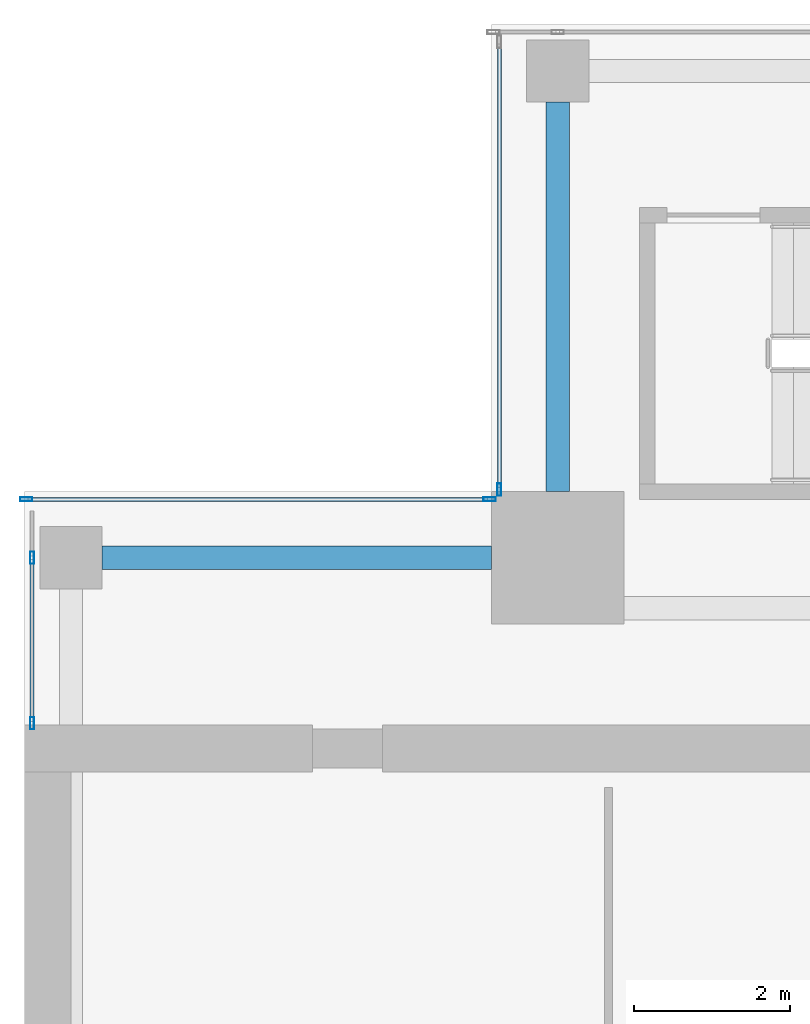
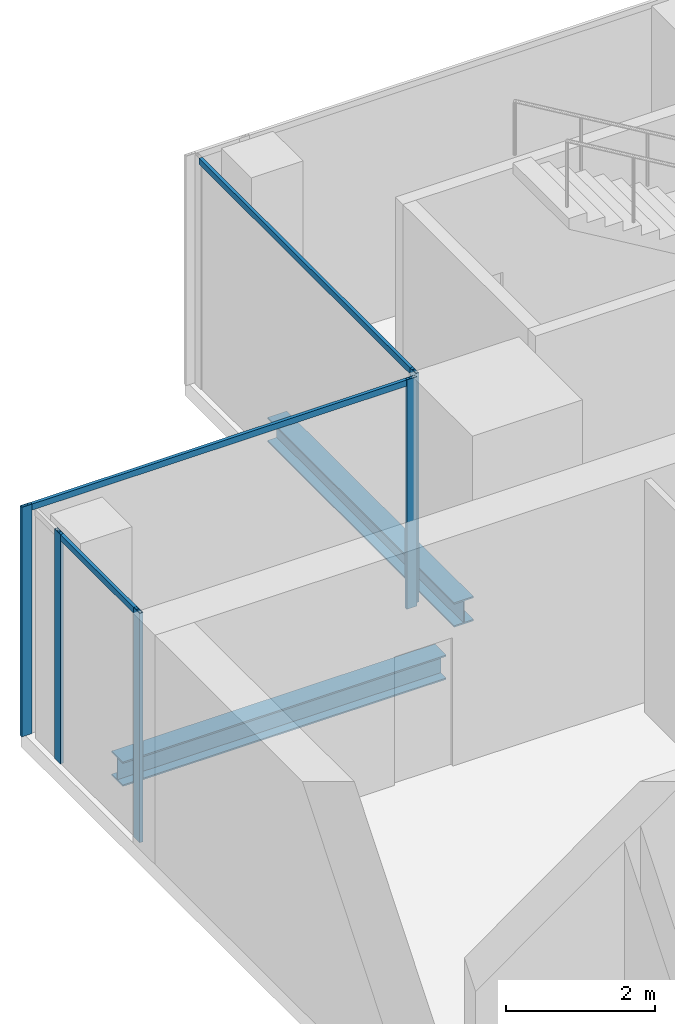
# One storey, part 14 of 29: 8 members, 2 beams, 3 elements without a shape of their own.
"""IFC4 building model written with IfcOpenShell, lengths in metres."""

from ifc_helpers import new_model, si_unit, direction, frame, origin, origin_2d, place, context, subcontext, project, spatial, hollow_rectangle, i_section, extrude, source, transform, mapped, material, material_profile, profile_set, type_object, element, aggregate, save


model = new_model("IFC4")

# Units and contexts
model_context = context("Model", 3, precision=1e-05, world=origin(), true_north=direction((0.0, 1.0)))
body_context = subcontext(model_context, "Body", "Model", "MODEL_VIEW")
ifc_project = project(units=[si_unit("LENGTHUNIT", "METRE"), si_unit("AREAUNIT", "SQUARE_METRE"), si_unit("VOLUMEUNIT", "CUBIC_METRE"), si_unit("PLANEANGLEUNIT", "RADIAN"), si_unit("MASSUNIT", "GRAM", prefix="KILO")], contexts=[model_context])

# Site, building, storey
site_placement = place(None, origin())
site = spatial("IfcSite", under=ifc_project, at=site_placement, CompositionType="ELEMENT")
building_placement = place(site_placement, origin())
building = spatial("IfcBuilding", under=site, at=building_placement, Name="Khomas Fold Tower", CompositionType="ELEMENT")
storey_placement = place(building_placement, frame((0.0, 0.0, 314.199951171875)))
storey = spatial("IfcBuildingStorey", under=building, at=storey_placement, Name="L71", CompositionType="ELEMENT", Elevation=314.199951171875)

# Beams
ifc_material_1 = material(Name="Steel S355", Category="steel")
ifc_material_profile_1 = material_profile(ifc_material_1, i_section(OverallWidth=0.300048828125, OverallDepth=0.39990234375, WebThickness=0.013427734375, FlangeThickness=0.02392578125, at=origin_2d()), Name="HE 400 B")
ifc_profile_set_1 = profile_set([ifc_material_profile_1], Name="Steel S355")
beam_type = type_object("IfcBeamType", Name="HE 400 B spandrel SB5", PredefinedType="SPANDREL", material=ifc_profile_set_1)
shared_shape_1 = source(origin(), body_context, "Body", "SweptSolid", [
    extrude(i_section(OverallWidth=0.300048828125, OverallDepth=0.39990234375, WebThickness=0.013427734375, FlangeThickness=0.02392578125, at=origin_2d()), origin(), (0.0, 0.0, 1.0), 5.0),
])
for number, where, z_axis, x_axis, name in (
    (1, (12.85009765625, 42.0, -0.449951171875), (0.0, 1.0, 0.0), (-1.0, 0.0, 0.0), "SB5"),
    (2, (7.0, 41.14990234375, -0.449951171875), (1.0, 0.0, 0.0), (0.0, 1.0, 0.0), "SB5"),
):
    element("IfcBeam", number, at=place(storey_placement, frame(where, z_axis=z_axis, x_axis=x_axis)), inside=storey, type_object=beam_type, Name=name, PredefinedType="SPANDREL", context=body_context, shape_type="MappedRepresentation", body=[
        mapped(shared_shape_1, transform((0.0, 0.0, 0.0))),
    ])

# Curtain wall, member
ifc_material_2 = material(Name="Aluminium framed double glazing", Category="aluminium")
curtain_wall_type = type_object("IfcCurtainWallType", Name="SK-Unitised clear-glass wall, upper floors CW3", PredefinedType="NOTDEFINED", material=ifc_material_2)
curtain_wall_1_placement = place(storey_placement, origin())
curtain_wall_1 = element("IfcCurtainWall", 3, at=curtain_wall_1_placement, inside=storey, type_object=curtain_wall_type, Name="CW3 corner return L71 07", PredefinedType="NOTDEFINED")
ifc_material_3 = material(Name="Aluminium", Category="aluminium")
ifc_material_profile_2 = material_profile(ifc_material_3, hollow_rectangle(XDim=0.050048828125, YDim=0.159912109375, WallThickness=0.00390625, at=origin_2d()), Name="SK-Unitised clear-glass wall, upper floors mullion CW3-M")
ifc_profile_set_2 = profile_set([ifc_material_profile_2], Name="Aluminium")
member_type_1 = type_object("IfcMemberType", Name="SK-Unitised clear-glass wall, upper floors mullion CW3-M", PredefinedType="MULLION", material=ifc_profile_set_2)
shared_shape_2 = source(origin(), body_context, "Body", "SweptSolid", [
    extrude(hollow_rectangle(XDim=0.050048828125, YDim=0.159912109375, WallThickness=0.00390625, at=origin_2d()), origin(), (0.0, 0.0, 1.0), 3.75),
])
member_1_placement = place(storey_placement, frame((12.10009765625, 42.02490234375, 0.0), z_axis=(0.0, 0.0, 1.0), x_axis=(1.0, 0.0, 0.0)))
member_1 = element("IfcMember", 4, at=member_1_placement, type_object=member_type_1, Name="CW3 mullion 2", PredefinedType="MULLION", context=body_context, shape_type="MappedRepresentation", body=[
    mapped(shared_shape_2, transform((0.0, 0.0, 0.0))),
])

# Curtain wall, members
curtain_wall_2_placement = place(storey_placement, origin())
curtain_wall_2 = element("IfcCurtainWall", 5, at=curtain_wall_2_placement, inside=storey, type_object=curtain_wall_type, Name="CW3 corner return L71 08", PredefinedType="NOTDEFINED")
member_2_placement = place(storey_placement, frame((11.97509765625, 41.89990234375, 0.0), z_axis=(0.0, 0.0, 1.0), x_axis=(0.0, -1.0, 0.0)))
member_2 = element("IfcMember", 6, at=member_2_placement, type_object=member_type_1, Name="CW3 mullion 1", PredefinedType="MULLION", context=body_context, shape_type="MappedRepresentation", body=[
    mapped(shared_shape_2, transform((0.0, 0.0, 0.0))),
])
member_3_placement = place(storey_placement, frame((6.02490234375, 41.89990234375, 0.0), z_axis=(0.0, 0.0, 1.0), x_axis=(0.0, -1.0, 0.0)))
member_3 = element("IfcMember", 7, at=member_3_placement, type_object=member_type_1, Name="CW3 mullion 2", PredefinedType="MULLION", context=body_context, shape_type="MappedRepresentation", body=[
    mapped(shared_shape_2, transform((0.0, 0.0, 0.0))),
])

curtain_wall_3_placement = place(storey_placement, origin())
curtain_wall_3 = element("IfcCurtainWall", 8, at=curtain_wall_3_placement, inside=storey, type_object=curtain_wall_type, Name="CW3 run L71 09-0", PredefinedType="NOTDEFINED")
member_4_placement = place(storey_placement, frame((6.10009765625, 41.14990234375, 0.0), z_axis=(0.0, 0.0, 1.0), x_axis=(1.0, 0.0, 0.0)))
member_4 = element("IfcMember", 9, at=member_4_placement, type_object=member_type_1, Name="CW3 mullion 2", PredefinedType="MULLION", context=body_context, shape_type="MappedRepresentation", body=[
    mapped(shared_shape_2, transform((0.0, 0.0, 0.0))),
])
member_5_placement = place(storey_placement, frame((6.10009765625, 39.02490234375, 0.0), z_axis=(0.0, 0.0, 1.0), x_axis=(1.0, 0.0, 0.0)))
member_5 = element("IfcMember", 10, at=member_5_placement, type_object=member_type_1, Name="CW3 mullion 3", PredefinedType="MULLION", context=body_context, shape_type="MappedRepresentation", body=[
    mapped(shared_shape_2, transform((0.0, 0.0, 0.0))),
])

# Member
ifc_material_4 = material(Name="Aluminium", Category="aluminium")
ifc_material_profile_3 = material_profile(ifc_material_4, hollow_rectangle(XDim=0.050048828125, YDim=0.10009765625, WallThickness=0.00390625, at=origin_2d()), Name="SK-Unitised clear-glass wall, upper floors transom CW3-T")
ifc_profile_set_3 = profile_set([ifc_material_profile_3], Name="Aluminium")
member_type_2 = type_object("IfcMemberType", Name="SK-Unitised clear-glass wall, upper floors transom CW3-T", PredefinedType="USERDEFINED", material=ifc_profile_set_3)
shared_shape_3 = source(origin(), body_context, "Body", "SweptSolid", [
    extrude(hollow_rectangle(XDim=0.050048828125, YDim=0.10009765625, WallThickness=0.00390625, at=origin_2d()), origin(), (0.0, 0.0, 1.0), 5.699951171875),
])
member_6_placement = place(storey_placement, frame((12.10009765625, 47.75, 3.699951171875), z_axis=(0.0, -1.0, 0.0), x_axis=(1.0, 0.0, 0.0)))
member_6 = element("IfcMember", 11, at=member_6_placement, type_object=member_type_2, Name="CW3 transom 1", ObjectType="TRANSOM", PredefinedType="USERDEFINED", context=body_context, shape_type="MappedRepresentation", body=[
    mapped(shared_shape_3, transform((0.0, 0.0, 0.0))),
])

aggregate(curtain_wall_1, [member_1, member_6])

shared_shape_4 = source(origin(), body_context, "Body", "SweptSolid", [
    extrude(hollow_rectangle(XDim=0.050048828125, YDim=0.10009765625, WallThickness=0.00390625, at=origin_2d()), origin(), (0.0, 0.0, 1.0), 5.89990234375),
])
member_7_placement = place(storey_placement, frame((11.949951171875, 41.89990234375, 3.699951171875), z_axis=(-1.0, 0.0, 0.0), x_axis=(0.0, -1.0, 0.0)))
member_7 = element("IfcMember", 12, at=member_7_placement, type_object=member_type_2, Name="CW3 transom 1", ObjectType="TRANSOM", PredefinedType="USERDEFINED", context=body_context, shape_type="MappedRepresentation", body=[
    mapped(shared_shape_4, transform((0.0, 0.0, 0.0))),
])

aggregate(curtain_wall_2, [member_2, member_3, member_7])

shared_shape_5 = source(origin(), body_context, "Body", "SweptSolid", [
    extrude(hollow_rectangle(XDim=0.050048828125, YDim=0.10009765625, WallThickness=0.00390625, at=origin_2d()), origin(), (0.0, 0.0, 1.0), 2.074951171875),
])
member_8_placement = place(storey_placement, frame((6.10009765625, 41.125, 3.699951171875), z_axis=(0.0, -1.0, 0.0), x_axis=(1.0, 0.0, 0.0)))
member_8 = element("IfcMember", 13, at=member_8_placement, type_object=member_type_2, Name="CW3 transom 2", ObjectType="TRANSOM", PredefinedType="USERDEFINED", context=body_context, shape_type="MappedRepresentation", body=[
    mapped(shared_shape_5, transform((0.0, 0.0, 0.0))),
])

aggregate(curtain_wall_3, [member_4, member_5, member_8])

save(model, "model.ifc")
